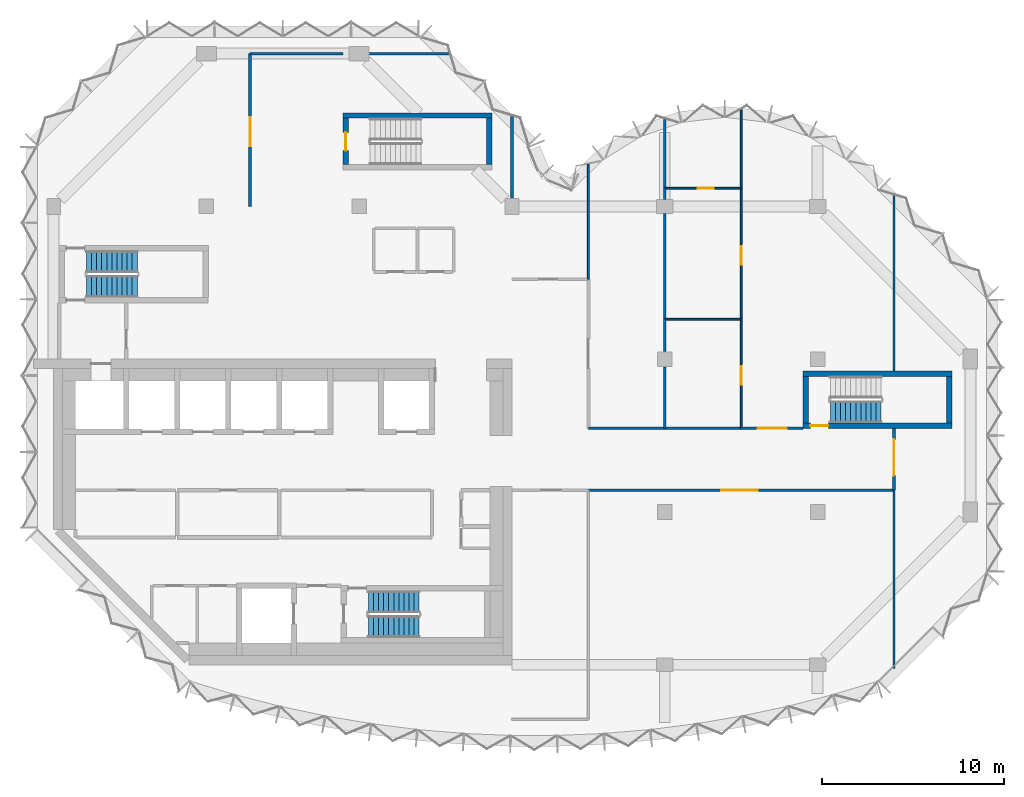
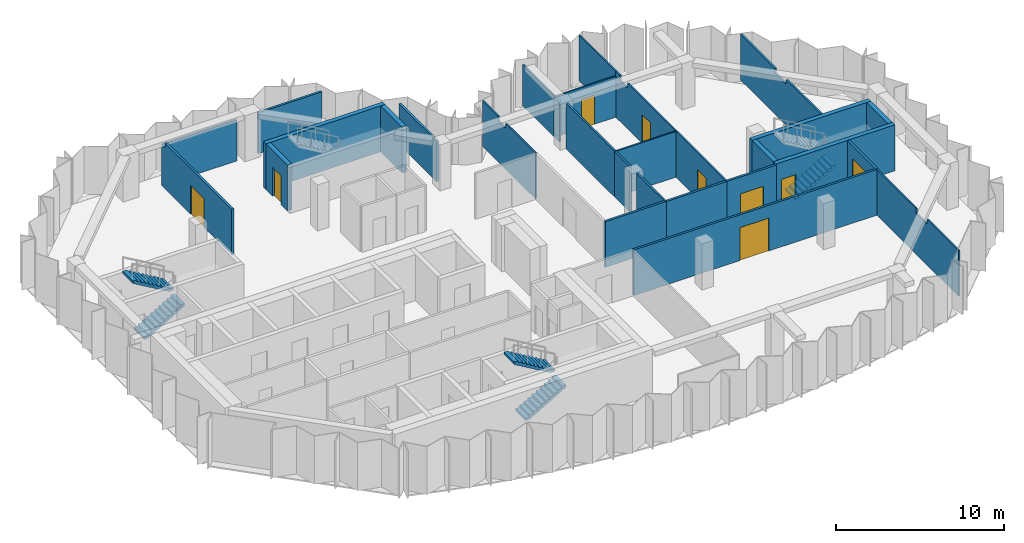
# One storey, part 6 of 9: 29 walls, 9 doors, 5 stair flights, 9 openings, 3 elements without a shape of their own.
"""IFC4 building model written with IfcOpenShell, lengths in metres."""

from ifc_helpers import new_model, si_unit, direction, frame, frame_2d, origin, place, context, subcontext, project, spatial, polyline, rectangle, outline, extrude, material, layer, layer_set, type_object, element, fill, aggregate, save


model = new_model("IFC4")

# Units and contexts
model_context = context("Model", 3, precision=1e-05, world=origin(), true_north=direction((0.0, 1.0)))
body_context = subcontext(model_context, "Body", "Model", "MODEL_VIEW")
ifc_project = project(units=[si_unit("LENGTHUNIT", "METRE"), si_unit("AREAUNIT", "SQUARE_METRE"), si_unit("VOLUMEUNIT", "CUBIC_METRE"), si_unit("PLANEANGLEUNIT", "RADIAN"), si_unit("MASSUNIT", "GRAM", prefix="KILO")], contexts=[model_context])

# Site, building, storey
site_placement = place(None, origin())
site = spatial("IfcSite", under=ifc_project, at=site_placement, CompositionType="ELEMENT")
building_placement = place(site_placement, origin())
building = spatial("IfcBuilding", under=site, at=building_placement, Name="Brevane Broadcast Tower", CompositionType="ELEMENT")
storey_placement = place(building_placement, frame((0.0, 0.0, 240.89990234375)))
storey = spatial("IfcBuildingStorey", under=building, at=storey_placement, Name="L61", CompositionType="ELEMENT", Elevation=240.89990234375)

# Wall
ifc_material_1 = material(Name="Concrete C50/60", Category="concrete")
ifc_layer_1 = layer(ifc_material_1, 0.300048828125)
ifc_layer_set_1 = layer_set([ifc_layer_1], Name="Core wall 300 mm C50/60")
wall_type_1 = type_object("IfcWallType", Name="Core wall 300 mm C50/60", PredefinedType="SHEAR", material=ifc_layer_set_1)
wall_1_placement = place(storey_placement, frame((15.89990234375, 30.199951171875, 0.0), z_axis=(0.0, 0.0, 1.0), x_axis=(1.0, 0.0, 0.0)))
element("IfcWall", 1, at=wall_1_placement, inside=storey, type_object=wall_type_1, Name="L61 stair wall ST-3-N", PredefinedType="SHEAR", context=body_context, shape_type="SweptSolid", body=[
    extrude(rectangle(XDim=8.2001953125, YDim=0.300048828125, at=frame_2d((4.10009765625, 0.0))), origin(), (0.0, 0.0, 1.0), 3.35009765625),
])

# Wall, opening, door
wall_2_placement = place(storey_placement, frame((16.050048828125, 27.5, 0.0), z_axis=(0.0, 0.0, 1.0), x_axis=(0.0, 1.0, 0.0)))
wall_2 = element("IfcWall", 2, at=wall_2_placement, inside=storey, type_object=wall_type_1, Name="L61 stair wall ST-3-W", PredefinedType="SHEAR", context=body_context, shape_type="SweptSolid", body=[
    extrude(rectangle(XDim=2.550048828125, YDim=0.300048828125, at=frame_2d((1.27490234375, 0.0))), origin(), (0.0, 0.0, 1.0), 3.35009765625),
])
opening_1_placement = place(wall_2_placement, frame((0.77490234375, 0.0, 0.0)))
opening_1 = element("IfcOpeningElement", 3, at=opening_1_placement, cuts=wall_2, Name="Opening L61-K12", PredefinedType="OPENING", context=body_context, shape_type="SweptSolid", body=[
    extrude(rectangle(XDim=1.0, YDim=2.10009765625, at=frame_2d((0.5, 1.050048828125))), frame((0.0, 0.159912109375, 0.0), z_axis=(0.0, -1.0, 0.0), x_axis=(1.0, 0.0, 0.0)), (0.0, 0.0, 1.0), 0.320068359375),
])
ifc_material_2 = material(Name="Steel", Category="steel")
door_type_1 = type_object("IfcDoorType", Name="Stair door 1000 x 2100", OperationType="SINGLE_SWING_LEFT", PredefinedType="DOOR", material=ifc_material_2)
door_1_placement = place(opening_1_placement, origin())
door_1 = element("IfcDoor", 4, at=door_1_placement, inside=storey, type_object=door_type_1, Name="Door L61-K12", OperationType="SINGLE_SWING_LEFT", OverallHeight=2.10009765625, OverallWidth=1.0, PredefinedType="DOOR", context=body_context, shape_type="SweptSolid", body=[
    extrude(rectangle(XDim=1.0, YDim=2.10009765625, at=frame_2d((0.5, 1.050048828125))), frame((0.0, 0.02490234375, 0.0), z_axis=(0.0, -1.0, 0.0), x_axis=(1.0, 0.0, 0.0)), (0.0, 0.0, 1.0), 0.050048828125),
])
fill(opening_1, door_1)

# Wall
wall_3_placement = place(storey_placement, frame((23.949951171875, 27.5, 0.0), z_axis=(0.0, 0.0, 1.0), x_axis=(0.0, 1.0, 0.0)))
element("IfcWall", 5, at=wall_3_placement, inside=storey, type_object=wall_type_1, Name="L61 stair wall ST-3-E", PredefinedType="SHEAR", context=body_context, shape_type="SweptSolid", body=[
    extrude(rectangle(XDim=2.550048828125, YDim=0.300048828125, at=frame_2d((1.27490234375, 0.0))), origin(), (0.0, 0.0, 1.0), 3.35009765625),
])

# Wall, opening, door
wall_4_placement = place(storey_placement, frame((49.39990234375, 13.14990234375, 0.0), z_axis=(0.0, 0.0, 1.0), x_axis=(-1.0, 0.0, 0.0)))
wall_4 = element("IfcWall", 6, at=wall_4_placement, inside=storey, type_object=wall_type_1, Name="L61 stair wall ST-4-S", PredefinedType="SHEAR", context=body_context, shape_type="SweptSolid", body=[
    extrude(rectangle(XDim=8.199951171875, YDim=0.300048828125, at=frame_2d((4.10009765625, 0.0))), origin(), (0.0, 0.0, 1.0), 3.35009765625),
])
opening_2_placement = place(wall_4_placement, frame((6.800048828125, 0.0, 0.0)))
opening_2 = element("IfcOpeningElement", 7, at=opening_2_placement, cuts=wall_4, Name="Opening L61-K13", PredefinedType="OPENING", context=body_context, shape_type="SweptSolid", body=[
    extrude(rectangle(XDim=1.0, YDim=2.10009765625, at=frame_2d((0.5, 1.050048828125))), frame((0.0, 0.159912109375, 0.0), z_axis=(0.0, -1.0, 0.0), x_axis=(1.0, 0.0, 0.0)), (0.0, 0.0, 1.0), 0.320068359375),
])
door_2_placement = place(opening_2_placement, origin())
door_2 = element("IfcDoor", 8, at=door_2_placement, inside=storey, type_object=door_type_1, Name="Door L61-K13", OperationType="SINGLE_SWING_RIGHT", OverallHeight=2.10009765625, OverallWidth=1.0, PredefinedType="DOOR", context=body_context, shape_type="SweptSolid", body=[
    extrude(rectangle(XDim=1.0, YDim=2.10009765625, at=frame_2d((0.5, 1.050048828125))), frame((0.0, 0.02490234375, 0.0), z_axis=(0.0, -1.0, 0.0), x_axis=(1.0, 0.0, 0.0)), (0.0, 0.0, 1.0), 0.050048828125),
])
fill(opening_2, door_2)

# Walls
wall_5_placement = place(storey_placement, frame((41.199951171875, 16.0, 0.0), z_axis=(0.0, 0.0, 1.0), x_axis=(1.0, 0.0, 0.0)))
element("IfcWall", 9, at=wall_5_placement, inside=storey, type_object=wall_type_1, Name="L61 stair wall ST-4-N", PredefinedType="SHEAR", context=body_context, shape_type="SweptSolid", body=[
    extrude(rectangle(XDim=8.199951171875, YDim=0.300048828125, at=frame_2d((4.10009765625, 0.0))), origin(), (0.0, 0.0, 1.0), 3.35009765625),
])
for number, where, z_axis, x_axis, name in (
    (10, (41.35009765625, 13.300048828125, 0.0), (0.0, 0.0, 1.0), (0.0, 1.0, 0.0), "L61 stair wall ST-4-W"),
    (11, (49.25, 13.300048828125, 0.0), (0.0, 0.0, 1.0), (0.0, 1.0, 0.0), "L61 stair wall ST-4-E"),
):
    element("IfcWall", number, at=place(storey_placement, frame(where, z_axis=z_axis, x_axis=x_axis)), inside=storey, type_object=wall_type_1, Name=name, PredefinedType="SHEAR", context=body_context, shape_type="SweptSolid", body=[
        extrude(rectangle(XDim=2.550048828125, YDim=0.300048828125, at=frame_2d((1.27490234375, 0.0))), origin(), (0.0, 0.0, 1.0), 3.35009765625),
    ])
ifc_material_3 = material(Name="Gypsum board partition")
ifc_layer_2 = layer(ifc_material_3, 0.10009765625)
ifc_layer_set_2 = layer_set([ifc_layer_2], Name="PARTITION 100 STUD")
wall_type_2 = type_object("IfcWallType", Name="PARTITION 100 STUD", PredefinedType="PARTITIONING", material=ifc_layer_set_2)
wall_6_placement = place(storey_placement, frame((29.39990234375, 27.510986328125, 0.0), z_axis=(0.0, 0.0, 1.0), x_axis=(0.0, -1.0, 0.0)))
element("IfcWall", 12, at=wall_6_placement, inside=storey, type_object=wall_type_2, Name="Partition G19-004", PredefinedType="PARTITIONING", context=body_context, shape_type="SweptSolid", body=[
    extrude(outline(polyline([(0.0, 0.0), (6.31103515625, 0.0), (6.31103515625, 3.330078125), (2.760986328125, 3.330078125), (2.759033203125, 2.97998046875), (1.863037109375, 2.97998046875), (1.861083984375, 3.330078125), (0.236083984375, 3.330078125), (0.0, 3.330078125), (0.0, 0.0)])), frame((0.0, 0.050048828125, 0.0), z_axis=(0.0, -1.0, 0.0), x_axis=(1.0, 0.0, 0.0)), (0.0, 0.0, 1.0), 0.10009765625),
])
wall_7_placement = place(storey_placement, frame((46.199951171875, -0.199951171875, 0.0), z_axis=(0.0, 0.0, 1.0), x_axis=(0.0, 1.0, 0.0)))
element("IfcWall", 13, at=wall_7_placement, inside=storey, type_object=wall_type_2, Name="Partition G19-011", PredefinedType="PARTITIONING", context=body_context, shape_type="SweptSolid", body=[
    extrude(outline(polyline([(0.0, 0.0), (9.800048828125, 0.0), (9.800048828125, 3.330078125), (5.065673828125, 3.330078125), (5.063720703125, 2.97998046875), (3.736328125, 2.97998046875), (3.734375, 3.330078125), (0.0, 3.330078125), (0.0, 0.0)])), frame((0.0, 0.050048828125, 0.0), z_axis=(0.0, -1.0, 0.0), x_axis=(1.0, 0.0, 0.0)), (0.0, 0.0, 1.0), 0.10009765625),
])

# Wall, opening, door
wall_8_placement = place(storey_placement, frame((37.800048828125, 13.0, 0.0), z_axis=(0.0, 0.0, 1.0), x_axis=(0.0, 1.0, 0.0)))
wall_8 = element("IfcWall", 14, at=wall_8_placement, inside=storey, type_object=wall_type_2, Name="Partition G19-020", PredefinedType="PARTITIONING", context=body_context, shape_type="SweptSolid", body=[
    extrude(rectangle(XDim=6.0, YDim=0.10009765625, at=frame_2d((3.0, 0.0))), origin(), (0.0, 0.0, 1.0), 3.330078125),
])
opening_3_placement = place(wall_8_placement, frame((2.39990234375, 0.0, 0.0)))
opening_3 = element("IfcOpeningElement", 15, at=opening_3_placement, cuts=wall_8, Name="Opening D30-007", PredefinedType="OPENING", context=body_context, shape_type="SweptSolid", body=[
    extrude(rectangle(XDim=1.0, YDim=2.10009765625, at=frame_2d((0.5, 1.050048828125))), frame((0.0, 0.06005859375, 0.0), z_axis=(0.0, -1.0, 0.0), x_axis=(1.0, 0.0, 0.0)), (0.0, 0.0, 1.0), 0.1201171875),
])
ifc_material_4 = material(Name="Timber door leaf", Category="wood")
door_type_2 = type_object("IfcDoorType", Name="DOOR SINGLE 1000 INTERNAL", OperationType="SINGLE_SWING_LEFT", PredefinedType="DOOR", material=ifc_material_4)
door_3_placement = place(opening_3_placement, origin())
door_3 = element("IfcDoor", 16, at=door_3_placement, inside=storey, type_object=door_type_2, Name="Door D30-007", OperationType="SINGLE_SWING_LEFT", OverallHeight=2.10009765625, OverallWidth=1.0, PredefinedType="DOOR", context=body_context, shape_type="SweptSolid", body=[
    extrude(rectangle(XDim=1.0, YDim=2.10009765625, at=frame_2d((0.5, 1.050048828125))), frame((0.0, 0.02490234375, 0.0), z_axis=(0.0, -1.0, 0.0), x_axis=(1.0, 0.0, 0.0)), (0.0, 0.0, 1.0), 0.050048828125),
])
fill(opening_3, door_3)

wall_9_placement = place(storey_placement, frame((37.800048828125, 19.0, 0.0), z_axis=(0.0, 0.0, 1.0), x_axis=(0.0, 1.0, 0.0)))
wall_9 = element("IfcWall", 17, at=wall_9_placement, inside=storey, type_object=wall_type_2, Name="Partition G19-021", PredefinedType="PARTITIONING", context=body_context, shape_type="SweptSolid", body=[
    extrude(outline(polyline([(0.0, 0.0), (7.199951171875, 0.0), (7.199951171875, 3.330078125), (6.64990234375, 3.330078125), (6.64794921875, 2.97998046875), (5.751953125, 2.97998046875), (5.75, 3.330078125), (0.0, 3.330078125), (0.0, 0.0)])), frame((0.0, 0.050048828125, 0.0), z_axis=(0.0, -1.0, 0.0), x_axis=(1.0, 0.0, 0.0)), (0.0, 0.0, 1.0), 0.10009765625),
])
opening_4_placement = place(wall_9_placement, frame((3.0, 0.0, 0.0)))
opening_4 = element("IfcOpeningElement", 18, at=opening_4_placement, cuts=wall_9, Name="Opening D30-008", PredefinedType="OPENING", context=body_context, shape_type="SweptSolid", body=[
    extrude(rectangle(XDim=1.0, YDim=2.10009765625, at=frame_2d((0.5, 1.050048828125))), frame((0.0, 0.06005859375, 0.0), z_axis=(0.0, -1.0, 0.0), x_axis=(1.0, 0.0, 0.0)), (0.0, 0.0, 1.0), 0.1201171875),
])
door_4_placement = place(opening_4_placement, origin())
door_4 = element("IfcDoor", 19, at=door_4_placement, inside=storey, type_object=door_type_2, Name="Door D30-008", OperationType="SINGLE_SWING_LEFT", OverallHeight=2.10009765625, OverallWidth=1.0, PredefinedType="DOOR", context=body_context, shape_type="SweptSolid", body=[
    extrude(rectangle(XDim=1.0, YDim=2.10009765625, at=frame_2d((0.5, 1.050048828125))), frame((0.0, 0.02490234375, 0.0), z_axis=(0.0, -1.0, 0.0), x_axis=(1.0, 0.0, 0.0)), (0.0, 0.0, 1.0), 0.050048828125),
])
fill(opening_4, door_4)

# Walls
wall_10_placement = place(storey_placement, frame((37.800048828125, 26.199951171875, 0.0), z_axis=(0.0, 0.0, 1.0), x_axis=(0.0, 1.0, 0.0)))
element("IfcWall", 20, at=wall_10_placement, inside=storey, type_object=wall_type_2, Name="Partition G19-022", PredefinedType="PARTITIONING", context=body_context, shape_type="SweptSolid", body=[
    extrude(rectangle(XDim=4.325927734375, YDim=0.10009765625, at=frame_2d((2.1630859375, 0.0))), origin(), (0.0, 0.0, 1.0), 3.330078125),
])
wall_11_placement = place(storey_placement, frame((33.60009765625, 19.0, 0.0), z_axis=(0.0, 0.0, 1.0), x_axis=(1.0, 0.0, 0.0)))
element("IfcWall", 21, at=wall_11_placement, inside=storey, type_object=wall_type_2, Name="Partition G19-023", PredefinedType="PARTITIONING", context=body_context, shape_type="SweptSolid", body=[
    extrude(rectangle(XDim=4.199951171875, YDim=0.10009765625, at=frame_2d((2.10009765625, 0.0))), origin(), (0.0, 0.0, 1.0), 3.330078125),
])

# Wall, opening, door
wall_12_placement = place(storey_placement, frame((33.60009765625, 26.199951171875, 0.0), z_axis=(0.0, 0.0, 1.0), x_axis=(1.0, 0.0, 0.0)))
wall_12 = element("IfcWall", 22, at=wall_12_placement, inside=storey, type_object=wall_type_2, Name="Partition G19-024", PredefinedType="PARTITIONING", context=body_context, shape_type="SweptSolid", body=[
    extrude(rectangle(XDim=4.199951171875, YDim=0.10009765625, at=frame_2d((2.10009765625, 0.0))), origin(), (0.0, 0.0, 1.0), 2.97998046875),
])
opening_5_placement = place(wall_12_placement, frame((1.800048828125, 0.0, 0.0)))
opening_5 = element("IfcOpeningElement", 23, at=opening_5_placement, cuts=wall_12, Name="Opening D30-009", PredefinedType="OPENING", context=body_context, shape_type="SweptSolid", body=[
    extrude(rectangle(XDim=0.89990234375, YDim=2.10009765625, at=frame_2d((0.449951171875, 1.050048828125))), frame((0.0, 0.06005859375, 0.0), z_axis=(0.0, -1.0, 0.0), x_axis=(1.0, 0.0, 0.0)), (0.0, 0.0, 1.0), 0.1201171875),
])
door_type_3 = type_object("IfcDoorType", Name="DOOR SINGLE 900 INTERNAL", OperationType="SINGLE_SWING_LEFT", PredefinedType="DOOR", material=ifc_material_4)
door_5_placement = place(opening_5_placement, origin())
door_5 = element("IfcDoor", 24, at=door_5_placement, inside=storey, type_object=door_type_3, Name="Door D30-009", OperationType="SINGLE_SWING_LEFT", OverallHeight=2.10009765625, OverallWidth=0.89990234375, PredefinedType="DOOR", context=body_context, shape_type="SweptSolid", body=[
    extrude(rectangle(XDim=0.89990234375, YDim=2.10009765625, at=frame_2d((0.449951171875, 1.050048828125))), frame((0.0, 0.02490234375, 0.0), z_axis=(0.0, -1.0, 0.0), x_axis=(1.0, 0.0, 0.0)), (0.0, 0.0, 1.0), 0.050048828125),
])
fill(opening_5, door_5)

# Walls
ifc_layer_3 = layer(ifc_material_3, 0.125)
ifc_layer_set_3 = layer_set([ifc_layer_3], Name="PARTITION 125 ACOUSTIC")
wall_type_3 = type_object("IfcWallType", Name="PARTITION 125 ACOUSTIC", PredefinedType="PARTITIONING", material=ifc_layer_set_3)
wall_13_placement = place(storey_placement, frame((46.199951171875, 16.14990234375, 0.0), z_axis=(0.0, 0.0, 1.0), x_axis=(0.0, 1.0, 0.0)))
element("IfcWall", 25, at=wall_13_placement, inside=storey, type_object=wall_type_3, Name="Partition G19-012", PredefinedType="PARTITIONING", context=body_context, shape_type="SweptSolid", body=[
    extrude(outline(polyline([(0.0, 0.0), (9.655517578125, 0.0), (9.655517578125, 3.330078125), (9.25, 3.330078125), (5.528076171875, 3.330078125), (5.526123046875, 2.97998046875), (4.173828125, 2.97998046875), (4.171875, 3.330078125), (0.0, 3.330078125), (0.0, 0.0)])), frame((0.0, 0.0625, 0.0), z_axis=(0.0, -1.0, 0.0), x_axis=(1.0, 0.0, 0.0)), (0.0, 0.0, 1.0), 0.125),
])
wall_14_placement = place(storey_placement, frame((33.60009765625, 19.0, 0.0), z_axis=(0.0, 0.0, 1.0), x_axis=(0.0, -1.0, 0.0)))
element("IfcWall", 26, at=wall_14_placement, inside=storey, type_object=wall_type_3, Name="Partition G19-015", PredefinedType="PARTITIONING", context=body_context, shape_type="SweptSolid", body=[
    extrude(rectangle(XDim=1.780029296875, YDim=0.125, at=frame_2d((0.89013671875, 0.0))), origin(), (0.0, 0.0, 1.0), 3.330078125),
])
wall_15_placement = place(storey_placement, frame((33.60009765625, 16.3798828125, 0.0), z_axis=(0.0, 0.0, 1.0), x_axis=(0.0, -1.0, 0.0)))
element("IfcWall", 27, at=wall_15_placement, inside=storey, type_object=wall_type_3, Name="Partition G19-016", PredefinedType="PARTITIONING", context=body_context, shape_type="SweptSolid", body=[
    extrude(rectangle(XDim=3.3798828125, YDim=0.125, at=frame_2d((1.68994140625, 0.0))), origin(), (0.0, 0.0, 1.0), 3.330078125),
])
wall_16_placement = place(storey_placement, frame((33.60009765625, 26.199951171875, 0.0), z_axis=(0.0, 0.0, 1.0), x_axis=(0.0, -1.0, 0.0)))
element("IfcWall", 28, at=wall_16_placement, inside=storey, type_object=wall_type_3, Name="Partition G19-017", PredefinedType="PARTITIONING", context=body_context, shape_type="SweptSolid", body=[
    extrude(rectangle(XDim=0.60498046875, YDim=0.125, at=frame_2d((0.302490234375, 0.0))), origin(), (0.0, 0.0, 1.0), 2.97998046875),
])
wall_17_placement = place(storey_placement, frame((33.60009765625, 24.804931640625, 0.0), z_axis=(0.0, 0.0, 1.0), x_axis=(0.0, -1.0, 0.0)))
element("IfcWall", 29, at=wall_17_placement, inside=storey, type_object=wall_type_3, Name="Partition G19-018", PredefinedType="PARTITIONING", context=body_context, shape_type="SweptSolid", body=[
    extrude(outline(polyline([(0.0, 0.0), (5.804931640625, 0.0), (5.804931640625, 3.330078125), (0.054931640625, 3.330078125), (0.052978515625, 2.97998046875), (0.0, 2.97998046875), (0.0, 0.0)])), frame((0.0, 0.0625, 0.0), z_axis=(0.0, -1.0, 0.0), x_axis=(1.0, 0.0, 0.0)), (0.0, 0.0, 1.0), 0.125),
])
wall_18_placement = place(storey_placement, frame((33.60009765625, 29.98828125, 0.0), z_axis=(0.0, 0.0, 1.0), x_axis=(0.0, -1.0, 0.0)))
element("IfcWall", 30, at=wall_18_placement, inside=storey, type_object=wall_type_3, Name="Partition G19-019", PredefinedType="PARTITIONING", context=body_context, shape_type="SweptSolid", body=[
    extrude(rectangle(XDim=3.788330078125, YDim=0.125, at=frame_2d((1.89404296875, 0.0))), origin(), (0.0, 0.0, 1.0), 2.97998046875),
])
ifc_layer_4 = layer(ifc_material_3, 0.14990234375)
ifc_layer_set_4 = layer_set([ifc_layer_4], Name="PARTITION 150 EI 60")
wall_type_4 = type_object("IfcWallType", Name="PARTITION 150 EI 60", PredefinedType="PARTITIONING", material=ifc_layer_set_4)
wall_19_placement = place(storey_placement, frame((25.199951171875, 25.669921875, 0.0), z_axis=(0.0, 0.0, 1.0), x_axis=(0.0, 1.0, 0.0)))
element("IfcWall", 31, at=wall_19_placement, inside=storey, type_object=wall_type_4, Name="Partition G19-005", PredefinedType="PARTITIONING", context=body_context, shape_type="SweptSolid", body=[
    extrude(rectangle(XDim=4.486572265625, YDim=0.14990234375, at=frame_2d((2.2431640625, 0.0))), origin(), (0.0, 0.0, 1.0), 2.97998046875),
])

# Wall, opening, door
wall_20_placement = place(storey_placement, frame((46.199951171875, 13.0, 0.0), z_axis=(0.0, 0.0, 1.0), x_axis=(0.0, -1.0, 0.0)))
wall_20 = element("IfcWall", 32, at=wall_20_placement, inside=storey, type_object=wall_type_4, Name="Partition G19-006", PredefinedType="PARTITIONING", context=body_context, shape_type="SweptSolid", body=[
    extrude(rectangle(XDim=3.39990234375, YDim=0.14990234375, at=frame_2d((1.699951171875, 0.0))), origin(), (0.0, 0.0, 1.0), 3.330078125),
])
opening_6_placement = place(wall_20_placement, frame((0.60009765625, 0.0, 0.0)))
opening_6 = element("IfcOpeningElement", 33, at=opening_6_placement, cuts=wall_20, Name="Opening D30-002", PredefinedType="OPENING", context=body_context, shape_type="SweptSolid", body=[
    extrude(rectangle(XDim=2.0, YDim=2.39990234375, at=frame_2d((1.0, 1.199951171875))), frame((0.0, 0.0849609375, 0.0), z_axis=(0.0, -1.0, 0.0), x_axis=(1.0, 0.0, 0.0)), (0.0, 0.0, 1.0), 0.169921875),
])
ifc_material_5 = material(Name="Fire-rated timber door leaf", Category="wood")
door_type_4 = type_object("IfcDoorType", Name="DOOR DOUBLE 2000 FD30S", OperationType="DOUBLE_DOOR_SINGLE_SWING", PredefinedType="DOOR", material=ifc_material_5)
door_6_placement = place(opening_6_placement, origin())
door_6 = element("IfcDoor", 34, at=door_6_placement, inside=storey, type_object=door_type_4, Name="Door D30-002", OperationType="DOUBLE_DOOR_SINGLE_SWING", OverallHeight=2.39990234375, OverallWidth=2.0, PredefinedType="DOOR", context=body_context, shape_type="SweptSolid", body=[
    extrude(rectangle(XDim=2.0, YDim=2.39990234375, at=frame_2d((1.0, 1.199951171875))), frame((0.0, 0.02490234375, 0.0), z_axis=(0.0, -1.0, 0.0), x_axis=(1.0, 0.0, 0.0)), (0.0, 0.0, 1.0), 0.050048828125),
])
fill(opening_6, door_6)

wall_21_placement = place(storey_placement, frame((46.199951171875, 9.60009765625, 0.0), z_axis=(0.0, 0.0, 1.0), x_axis=(-1.0, 0.0, 0.0)))
wall_21 = element("IfcWall", 35, at=wall_21_placement, inside=storey, type_object=wall_type_4, Name="Partition G19-007", PredefinedType="PARTITIONING", context=body_context, shape_type="SweptSolid", body=[
    extrude(rectangle(XDim=16.800048828125, YDim=0.14990234375, at=frame_2d((8.39990234375, 0.0))), origin(), (0.0, 0.0, 1.0), 3.330078125),
])
opening_7_placement = place(wall_21_placement, frame((7.5, 0.0, 0.0)))
opening_7 = element("IfcOpeningElement", 36, at=opening_7_placement, cuts=wall_21, Name="Opening D30-004", PredefinedType="OPENING", context=body_context, shape_type="SweptSolid", body=[
    extrude(rectangle(XDim=2.0, YDim=2.39990234375, at=frame_2d((1.0, 1.199951171875))), frame((0.0, 0.0849609375, 0.0), z_axis=(0.0, -1.0, 0.0), x_axis=(1.0, 0.0, 0.0)), (0.0, 0.0, 1.0), 0.169921875),
])
door_7_placement = place(opening_7_placement, origin())
door_7 = element("IfcDoor", 37, at=door_7_placement, inside=storey, type_object=door_type_4, Name="Door D30-004", OperationType="DOUBLE_DOOR_SINGLE_SWING", OverallHeight=2.39990234375, OverallWidth=2.0, PredefinedType="DOOR", context=body_context, shape_type="SweptSolid", body=[
    extrude(rectangle(XDim=2.0, YDim=2.39990234375, at=frame_2d((1.0, 1.199951171875))), frame((0.0, 0.02490234375, 0.0), z_axis=(0.0, -1.0, 0.0), x_axis=(1.0, 0.0, 0.0)), (0.0, 0.0, 1.0), 0.050048828125),
])
fill(opening_7, door_7)

# Wall
wall_22_placement = place(storey_placement, frame((29.39990234375, 13.0, 0.0), z_axis=(0.0, 0.0, 1.0), x_axis=(1.0, 0.0, 0.0)))
element("IfcWall", 38, at=wall_22_placement, inside=storey, type_object=wall_type_4, Name="Partition G19-008", PredefinedType="PARTITIONING", context=body_context, shape_type="SweptSolid", body=[
    extrude(rectangle(XDim=4.2001953125, YDim=0.14990234375, at=frame_2d((2.10009765625, 0.0))), origin(), (0.0, 0.0, 1.0), 3.330078125),
])

# Wall, opening, door
wall_23_placement = place(storey_placement, frame((37.800048828125, 13.0, 0.0), z_axis=(0.0, 0.0, 1.0), x_axis=(1.0, 0.0, 0.0)))
wall_23 = element("IfcWall", 39, at=wall_23_placement, inside=storey, type_object=wall_type_4, Name="Partition G19-009", PredefinedType="PARTITIONING", context=body_context, shape_type="SweptSolid", body=[
    extrude(rectangle(XDim=3.39990234375, YDim=0.14990234375, at=frame_2d((1.699951171875, 0.0))), origin(), (0.0, 0.0, 1.0), 3.330078125),
])
opening_8_placement = place(wall_23_placement, frame((0.89990234375, 0.0, 0.0)))
opening_8 = element("IfcOpeningElement", 40, at=opening_8_placement, cuts=wall_23, Name="Opening D30-006", PredefinedType="OPENING", context=body_context, shape_type="SweptSolid", body=[
    extrude(rectangle(XDim=1.60009765625, YDim=2.10009765625, at=frame_2d((0.800048828125, 1.050048828125))), frame((0.0, 0.0849609375, 0.0), z_axis=(0.0, -1.0, 0.0), x_axis=(1.0, 0.0, 0.0)), (0.0, 0.0, 1.0), 0.169921875),
])
door_type_5 = type_object("IfcDoorType", Name="DOOR DOUBLE 1600 FD30S", OperationType="DOUBLE_DOOR_SINGLE_SWING", PredefinedType="DOOR", material=ifc_material_5)
door_8_placement = place(opening_8_placement, origin())
door_8 = element("IfcDoor", 41, at=door_8_placement, inside=storey, type_object=door_type_5, Name="Door D30-006", OperationType="DOUBLE_DOOR_SINGLE_SWING", OverallHeight=2.10009765625, OverallWidth=1.60009765625, PredefinedType="DOOR", context=body_context, shape_type="SweptSolid", body=[
    extrude(rectangle(XDim=1.60009765625, YDim=2.10009765625, at=frame_2d((0.800048828125, 1.050048828125))), frame((0.0, 0.02490234375, 0.0), z_axis=(0.0, -1.0, 0.0), x_axis=(1.0, 0.0, 0.0)), (0.0, 0.0, 1.0), 0.050048828125),
])
fill(opening_8, door_8)

# Wall
wall_24_placement = place(storey_placement, frame((33.60009765625, 13.0, 0.0), z_axis=(0.0, 0.0, 1.0), x_axis=(1.0, 0.0, 0.0)))
element("IfcWall", 42, at=wall_24_placement, inside=storey, type_object=wall_type_4, Name="Partition G19-010", PredefinedType="PARTITIONING", context=body_context, shape_type="SweptSolid", body=[
    extrude(rectangle(XDim=4.199951171875, YDim=0.14990234375, at=frame_2d((2.10009765625, 0.0))), origin(), (0.0, 0.0, 1.0), 3.330078125),
])

# Wall, opening, door
wall_25_placement = place(storey_placement, frame((10.800048828125, 25.199951171875, 0.0), z_axis=(0.0, 0.0, 1.0), x_axis=(0.0, 1.0, 0.0)))
wall_25 = element("IfcWall", 43, at=wall_25_placement, inside=storey, type_object=wall_type_4, Name="Partition G19-025", PredefinedType="PARTITIONING", context=body_context, shape_type="SweptSolid", body=[
    extrude(outline(polyline([(0.0, 0.0), (8.400146484375, 0.0), (8.39990234375, 2.97998046875), (7.951904296875, 2.97998046875), (7.949951171875, 3.330078125), (0.0, 3.330078125), (0.0, 0.0)])), frame((0.0, 0.074951171875, 0.0), z_axis=(0.0, -1.0, 0.0), x_axis=(1.0, 0.0, 0.0)), (0.0, 0.0, 1.0), 0.14990234375),
])
opening_9_placement = place(wall_25_placement, frame((3.300048828125, 0.0, 0.0)))
opening_9 = element("IfcOpeningElement", 44, at=opening_9_placement, cuts=wall_25, Name="Opening D30-010", PredefinedType="OPENING", context=body_context, shape_type="SweptSolid", body=[
    extrude(rectangle(XDim=1.60009765625, YDim=2.10009765625, at=frame_2d((0.800048828125, 1.050048828125))), frame((0.0, 0.0849609375, 0.0), z_axis=(0.0, -1.0, 0.0), x_axis=(1.0, 0.0, 0.0)), (0.0, 0.0, 1.0), 0.169921875),
])
door_9_placement = place(opening_9_placement, origin())
door_9 = element("IfcDoor", 45, at=door_9_placement, inside=storey, type_object=door_type_5, Name="Door D30-010", OperationType="DOUBLE_DOOR_SINGLE_SWING", OverallHeight=2.10009765625, OverallWidth=1.60009765625, PredefinedType="DOOR", context=body_context, shape_type="SweptSolid", body=[
    extrude(rectangle(XDim=1.60009765625, YDim=2.10009765625, at=frame_2d((0.800048828125, 1.050048828125))), frame((0.0, 0.02490234375, 0.0), z_axis=(0.0, -1.0, 0.0), x_axis=(1.0, 0.0, 0.0)), (0.0, 0.0, 1.0), 0.050048828125),
])
fill(opening_9, door_9)

# Walls
wall_26_placement = place(storey_placement, frame((10.800048828125, 33.60009765625, 0.0), z_axis=(0.0, 0.0, 1.0), x_axis=(1.0, 0.0, 0.0)))
element("IfcWall", 46, at=wall_26_placement, inside=storey, type_object=wall_type_4, Name="Partition G19-026", PredefinedType="PARTITIONING", context=body_context, shape_type="SweptSolid", body=[
    extrude(outline(polyline([(0.0, 0.0), (5.099853515625, 0.0), (5.10009765625, 2.97998046875), (0.0, 2.97998046875), (0.0, 0.0)])), frame((0.0, 0.074951171875, 0.0), z_axis=(0.0, -1.0, 0.0), x_axis=(1.0, 0.0, 0.0)), (0.0, 0.0, 1.0), 0.14990234375),
])
wall_27_placement = place(storey_placement, frame((17.3701171875, 33.60009765625, 0.0), z_axis=(0.0, 0.0, 1.0), x_axis=(1.0, 0.0, 0.0)))
element("IfcWall", 47, at=wall_27_placement, inside=storey, type_object=wall_type_4, Name="Partition G19-027", PredefinedType="PARTITIONING", context=body_context, shape_type="SweptSolid", body=[
    extrude(rectangle(XDim=4.38623046875, YDim=0.14990234375, at=frame_2d((2.193115234375, 0.0))), origin(), (0.0, 0.0, 1.0), 2.97998046875),
])

# Stair, stair flights
stair_type = type_object("IfcStairType", Name="Exit stair 22 risers", PredefinedType="HALF_TURN_STAIR", material=ifc_material_1)
stair_1_placement = place(storey_placement, origin())
stair_1 = element("IfcStair", 48, at=stair_1_placement, inside=storey, type_object=stair_type, Name="L61 Exit stair ST-1", PredefinedType="HALF_TURN_STAIR")
stair_flight_type = type_object("IfcStairFlightType", Name="Exit stair flight 22 risers", PredefinedType="STRAIGHT", material=ifc_material_1)
stair_flight_1_placement = place(storey_placement, frame((1.800048828125, 20.800048828125, 0.0), z_axis=(0.0, 0.0, 1.0), x_axis=(1.0, 0.0, 0.0)))
stair_flight_1 = element("IfcStairFlight", 49, at=stair_flight_1_placement, type_object=stair_flight_type, Name="ST-1 flight 1", NumberOfRisers=11, NumberOfTreads=10, PredefinedType="STRAIGHT", RiserHeight=0.163636364, TreadLength=0.28, context=body_context, shape_type="SweptSolid", body=[
    extrude(outline(polyline([(0.0, 0.0), (0.0, 0.16357421875), (0.280029296875, 0.16357421875), (0.280029296875, 0.327392578125), (0.56005859375, 0.327392578125), (0.56005859375, 0.490966796875), (0.840087890625, 0.490966796875), (0.840087890625, 0.654541015625), (1.1201171875, 0.654541015625), (1.1201171875, 0.818115234375), (1.39990234375, 0.818115234375), (1.39990234375, 0.98193359375), (1.679931640625, 0.98193359375), (1.679931640625, 1.1455078125), (1.9599609375, 1.1455078125), (1.9599609375, 1.30908203125), (2.239990234375, 1.30908203125), (2.239990234375, 1.47265625), (2.52001953125, 1.47265625), (2.52001953125, 1.636474609375), (2.800048828125, 1.636474609375), (2.800048828125, 1.800048828125), (2.800048828125, 1.462646484375), (0.297119140625, 0.0), (0.0, 0.0)])), frame((0.0, 0.60009765625, 0.0), z_axis=(0.0, -1.0, 0.0), x_axis=(1.0, 0.0, 0.0)), (0.0, 0.0, 1.0), 1.199951171875),
])
stair_flight_2_placement = place(storey_placement, frame((4.60009765625, 22.14990234375, 1.800048828125), z_axis=(0.0, 0.0, 1.0), x_axis=(-1.0, 0.0, 0.0)))
stair_flight_2 = element("IfcStairFlight", 50, at=stair_flight_2_placement, type_object=stair_flight_type, Name="ST-1 flight 2", NumberOfRisers=11, NumberOfTreads=10, PredefinedType="STRAIGHT", RiserHeight=0.163636364, TreadLength=0.28, context=body_context, shape_type="SweptSolid", body=[
    extrude(outline(polyline([(0.0, 0.0), (0.0, 0.16357421875), (0.280029296875, 0.16357421875), (0.280029296875, 0.327392578125), (0.56005859375, 0.327392578125), (0.56005859375, 0.490966796875), (0.840087890625, 0.490966796875), (0.840087890625, 0.654541015625), (1.1201171875, 0.654541015625), (1.1201171875, 0.818115234375), (1.39990234375, 0.818115234375), (1.39990234375, 0.98193359375), (1.679931640625, 0.98193359375), (1.679931640625, 1.1455078125), (1.9599609375, 1.1455078125), (1.9599609375, 1.30908203125), (2.239990234375, 1.30908203125), (2.239990234375, 1.47265625), (2.52001953125, 1.47265625), (2.52001953125, 1.636474609375), (2.800048828125, 1.636474609375), (2.800048828125, 1.800048828125), (2.800048828125, 1.462646484375), (0.297119140625, 0.0), (0.0, 0.0)])), frame((0.0, 0.60009765625, 0.0), z_axis=(0.0, -1.0, 0.0), x_axis=(1.0, 0.0, 0.0)), (0.0, 0.0, 1.0), 1.199951171875),
])
aggregate(stair_1, [stair_flight_1, stair_flight_2])

stair_2_placement = place(storey_placement, origin())
stair_2 = element("IfcStair", 51, at=stair_2_placement, inside=storey, type_object=stair_type, Name="L61 Exit stair ST-2", PredefinedType="HALF_TURN_STAIR")
stair_flight_3_placement = place(storey_placement, frame((17.300048828125, 2.10009765625, 0.0), z_axis=(0.0, 0.0, 1.0), x_axis=(1.0, 0.0, 0.0)))
stair_flight_3 = element("IfcStairFlight", 52, at=stair_flight_3_placement, type_object=stair_flight_type, Name="ST-2 flight 1", NumberOfRisers=11, NumberOfTreads=10, PredefinedType="STRAIGHT", RiserHeight=0.163636364, TreadLength=0.28, context=body_context, shape_type="SweptSolid", body=[
    extrude(outline(polyline([(0.0, 0.0), (0.0, 0.16357421875), (0.280029296875, 0.16357421875), (0.280029296875, 0.327392578125), (0.56005859375, 0.327392578125), (0.56005859375, 0.490966796875), (0.840087890625, 0.490966796875), (0.840087890625, 0.654541015625), (1.1201171875, 0.654541015625), (1.1201171875, 0.818115234375), (1.39990234375, 0.818115234375), (1.39990234375, 0.98193359375), (1.679931640625, 0.98193359375), (1.679931640625, 1.1455078125), (1.9599609375, 1.1455078125), (1.9599609375, 1.30908203125), (2.239990234375, 1.30908203125), (2.239990234375, 1.47265625), (2.52001953125, 1.47265625), (2.52001953125, 1.636474609375), (2.800048828125, 1.636474609375), (2.800048828125, 1.800048828125), (2.800048828125, 1.462646484375), (0.297119140625, 0.0), (0.0, 0.0)])), frame((0.0, 0.60009765625, 0.0), z_axis=(0.0, -1.0, 0.0), x_axis=(1.0, 0.0, 0.0)), (0.0, 0.0, 1.0), 1.199951171875),
])
stair_flight_4_placement = place(storey_placement, frame((20.10009765625, 3.449951171875, 1.800048828125), z_axis=(0.0, 0.0, 1.0), x_axis=(-1.0, 0.0, 0.0)))
stair_flight_4 = element("IfcStairFlight", 53, at=stair_flight_4_placement, type_object=stair_flight_type, Name="ST-2 flight 2", NumberOfRisers=11, NumberOfTreads=10, PredefinedType="STRAIGHT", RiserHeight=0.163636364, TreadLength=0.28, context=body_context, shape_type="SweptSolid", body=[
    extrude(outline(polyline([(0.0, 0.0), (0.0, 0.16357421875), (0.280029296875, 0.16357421875), (0.280029296875, 0.327392578125), (0.56005859375, 0.327392578125), (0.56005859375, 0.490966796875), (0.840087890625, 0.490966796875), (0.840087890625, 0.654541015625), (1.1201171875, 0.654541015625), (1.1201171875, 0.818115234375), (1.39990234375, 0.818115234375), (1.39990234375, 0.98193359375), (1.679931640625, 0.98193359375), (1.679931640625, 1.1455078125), (1.9599609375, 1.1455078125), (1.9599609375, 1.30908203125), (2.239990234375, 1.30908203125), (2.239990234375, 1.47265625), (2.52001953125, 1.47265625), (2.52001953125, 1.636474609375), (2.800048828125, 1.636474609375), (2.800048828125, 1.800048828125), (2.800048828125, 1.462646484375), (0.297119140625, 0.0), (0.0, 0.0)])), frame((0.0, 0.60009765625, 0.0), z_axis=(0.0, -1.0, 0.0), x_axis=(1.0, 0.0, 0.0)), (0.0, 0.0, 1.0), 1.199951171875),
])
aggregate(stair_2, [stair_flight_3, stair_flight_4])

# Stair, stair flight
stair_3_placement = place(storey_placement, origin())
stair_3 = element("IfcStair", 54, at=stair_3_placement, inside=storey, type_object=stair_type, Name="L61 Exit stair ST-4", PredefinedType="HALF_TURN_STAIR")
stair_flight_5_placement = place(storey_placement, frame((42.699951171875, 13.89990234375, 0.0), z_axis=(0.0, 0.0, 1.0), x_axis=(1.0, 0.0, 0.0)))
stair_flight_5 = element("IfcStairFlight", 55, at=stair_flight_5_placement, type_object=stair_flight_type, Name="ST-4 flight 1", NumberOfRisers=11, NumberOfTreads=10, PredefinedType="STRAIGHT", RiserHeight=0.163636364, TreadLength=0.28, context=body_context, shape_type="SweptSolid", body=[
    extrude(outline(polyline([(0.0, 0.0), (0.0, 0.16357421875), (0.280029296875, 0.16357421875), (0.280029296875, 0.327392578125), (0.56005859375, 0.327392578125), (0.56005859375, 0.490966796875), (0.840087890625, 0.490966796875), (0.840087890625, 0.654541015625), (1.1201171875, 0.654541015625), (1.1201171875, 0.818115234375), (1.39990234375, 0.818115234375), (1.39990234375, 0.98193359375), (1.679931640625, 0.98193359375), (1.679931640625, 1.1455078125), (1.9599609375, 1.1455078125), (1.9599609375, 1.30908203125), (2.239990234375, 1.30908203125), (2.239990234375, 1.47265625), (2.52001953125, 1.47265625), (2.52001953125, 1.636474609375), (2.800048828125, 1.636474609375), (2.800048828125, 1.800048828125), (2.800048828125, 1.462646484375), (0.297119140625, 0.0), (0.0, 0.0)])), frame((0.0, 0.60009765625, 0.0), z_axis=(0.0, -1.0, 0.0), x_axis=(1.0, 0.0, 0.0)), (0.0, 0.0, 1.0), 1.199951171875),
])
aggregate(stair_3, [stair_flight_5])

save(model, "model.ifc")
